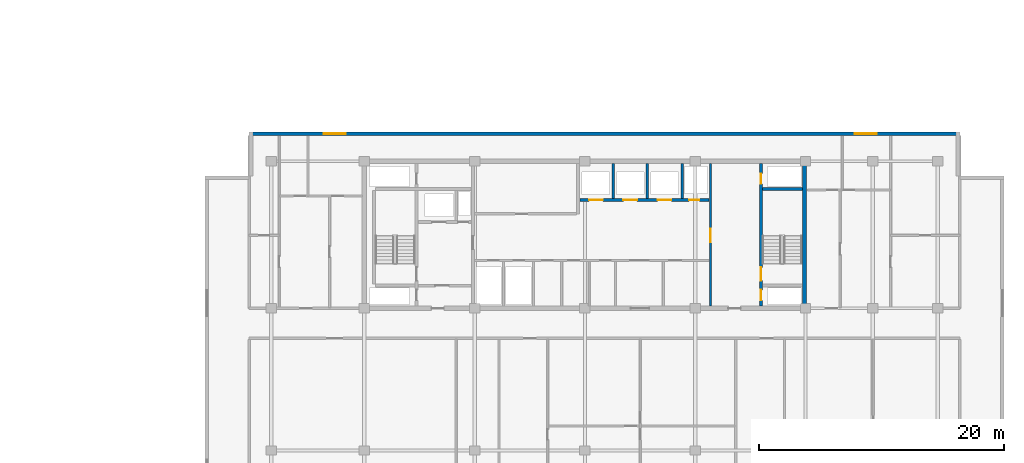
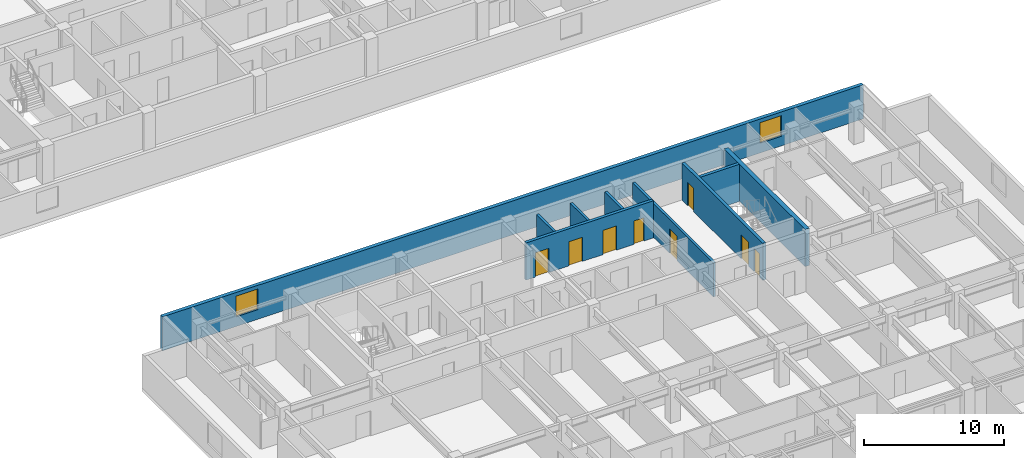
# One storey, part 7 of 21: 9 walls, 8 doors, 2 windows, 10 openings.
"""IFC4 building model written with IfcOpenShell, lengths in metres."""

from ifc_helpers import new_model, si_unit, direction, frame, frame_2d, origin, place, context, subcontext, project, spatial, rectangle, extrude, material, layer, layer_set, type_object, element, fill, save


model = new_model("IFC4")

# Units and contexts
model_context = context("Model", 3, precision=1e-05, world=origin(), true_north=direction((0.0, 1.0)))
body_context = subcontext(model_context, "Body", "Model", "MODEL_VIEW")
ifc_project = project(units=[si_unit("LENGTHUNIT", "METRE"), si_unit("AREAUNIT", "SQUARE_METRE"), si_unit("VOLUMEUNIT", "CUBIC_METRE"), si_unit("PLANEANGLEUNIT", "RADIAN"), si_unit("MASSUNIT", "GRAM", prefix="KILO")], contexts=[model_context])

# Site, building, storey
site_placement = place(None, origin())
site = spatial("IfcSite", under=ifc_project, at=site_placement, CompositionType="ELEMENT")
building_placement = place(site_placement, origin())
building = spatial("IfcBuilding", under=site, at=building_placement, Name="Korimba Cascade Residences", CompositionType="ELEMENT")
storey_placement = place(building_placement, frame((0.0, 0.0, 116.550048828125)))
storey = spatial("IfcBuildingStorey", under=building, at=storey_placement, Name="L33", CompositionType="ELEMENT", Elevation=116.550048828125)

# Wall, openings, windows
ifc_material_1 = material(Name="Precast concrete C40/50", Category="concrete")
ifc_layer_1 = layer(ifc_material_1, 0.300048828125)
ifc_layer_set_1 = layer_set([ifc_layer_1], Name="Precast concrete C40/50")
wall_type_1 = type_object("IfcWallType", Name="EW-STONE-300", PredefinedType="STANDARD", material=ifc_layer_set_1)
wall_1_placement = place(storey_placement, frame((130.699951171875, 32.64990234375, 0.0), z_axis=(0.0, 0.0, 1.0), x_axis=(-1.0, 0.0, 0.0)))
wall_1 = element("IfcWall", 1, at=wall_1_placement, inside=storey, type_object=wall_type_1, Name="L33 T2 Perimeter Stone Wall E06", PredefinedType="STANDARD", context=body_context, shape_type="SweptSolid", body=[
    extrude(rectangle(XDim=58.0, YDim=0.300048828125, at=frame_2d((29.0, 0.0))), origin(), (0.0, 0.0, 1.0), 2.969970703125),
])
opening_1_placement = place(wall_1_placement, frame((50.125, 0.0, 0.85009765625)))
opening_1 = element("IfcOpeningElement", 2, at=opening_1_placement, cuts=wall_1, Name="Opening W-02", PredefinedType="OPENING", context=body_context, shape_type="SweptSolid", body=[
    extrude(rectangle(XDim=1.800048828125, YDim=1.800048828125, at=frame_2d((0.89990234375, 0.89990234375))), frame((0.0, 0.16015625, 0.0), z_axis=(0.0, -1.0, 0.0), x_axis=(1.0, 0.0, 0.0)), (0.0, 0.0, 1.0), 0.320068359375),
])
opening_2_placement = place(wall_1_placement, frame((6.77490234375, 0.0, 0.85009765625)))
opening_2 = element("IfcOpeningElement", 3, at=opening_2_placement, cuts=wall_1, Name="Opening W-02", PredefinedType="OPENING", context=body_context, shape_type="SweptSolid", body=[
    extrude(rectangle(XDim=1.800048828125, YDim=1.800048828125, at=frame_2d((0.89990234375, 0.89990234375))), frame((0.0, 0.16015625, 0.0), z_axis=(0.0, -1.0, 0.0), x_axis=(1.0, 0.0, 0.0)), (0.0, 0.0, 1.0), 0.320068359375),
])
ifc_material_2 = material(Name="Double-Glazed Aluminium Window", Category="aluminium")
window_type = type_object("IfcWindowType", Name="WIN-BED-1800", PartitioningType="SINGLE_PANEL", PredefinedType="WINDOW", material=ifc_material_2)
window_1_placement = place(opening_1_placement, origin())
window_1 = element("IfcWindow", 4, at=window_1_placement, inside=storey, type_object=window_type, Name="L33 T2 North Corner Bedroom Window 1", OverallHeight=1.800048828125, OverallWidth=1.800048828125, PartitioningType="SINGLE_PANEL", PredefinedType="WINDOW", context=body_context, shape_type="SweptSolid", body=[
    extrude(rectangle(XDim=1.800048828125, YDim=1.800048828125, at=frame_2d((0.89990234375, 0.89990234375))), frame((0.0, 0.030029296875, 0.0), z_axis=(0.0, -1.0, 0.0), x_axis=(1.0, 0.0, 0.0)), (0.0, 0.0, 1.0), 0.06005859375),
])
fill(opening_1, window_1)
window_2_placement = place(opening_2_placement, origin())
window_2 = element("IfcWindow", 5, at=window_2_placement, inside=storey, type_object=window_type, Name="L33 T2 North Corner Bedroom Window 2", OverallHeight=1.800048828125, OverallWidth=1.800048828125, PartitioningType="SINGLE_PANEL", PredefinedType="WINDOW", context=body_context, shape_type="SweptSolid", body=[
    extrude(rectangle(XDim=1.800048828125, YDim=1.800048828125, at=frame_2d((0.89990234375, 0.89990234375))), frame((0.0, 0.030029296875, 0.0), z_axis=(0.0, -1.0, 0.0), x_axis=(1.0, 0.0, 0.0)), (0.0, 0.0, 1.0), 0.06005859375),
])
fill(opening_2, window_2)

# Walls
ifc_material_3 = material(Name="Concrete C65/80", Category="concrete")
ifc_layer_2 = layer(ifc_material_3, 0.35009765625)
ifc_layer_set_2 = layer_set([ifc_layer_2], Name="Concrete C65/80")
wall_type_2 = type_object("IfcWallType", Name="WAL-CORE-350", PredefinedType="SHEAR", material=ifc_layer_set_2)
wall_2_placement = place(storey_placement, frame((118.014892578125, 18.574951171875, 0.0), z_axis=(0.0, 0.0, 1.0), x_axis=(0.0, 1.0, 0.0)))
element("IfcWall", 6, at=wall_2_placement, inside=storey, type_object=wall_type_2, Name="L33 Core Shear Wall CW-L33-T2-E", PredefinedType="SHEAR", context=body_context, shape_type="SweptSolid", body=[
    extrude(rectangle(XDim=11.650146484375, YDim=0.35009765625, at=frame_2d((5.8251953125, 0.0))), origin(), (0.0, 0.0, 1.0), 3.25),
])
ifc_material_4 = material(Name="Concrete C40/50", Category="concrete")
ifc_layer_3 = layer(ifc_material_4, 0.199951171875)
ifc_layer_set_3 = layer_set([ifc_layer_3], Name="Concrete C40/50")
wall_type_3 = type_object("IfcWallType", Name="WAL-PART-200", PredefinedType="PARTITIONING", material=ifc_layer_set_3)
for number, where, z_axis, x_axis, name in (
    (7, (102.39990234375, 27.3798828125, 0.0), (0.0, 0.0, 1.0), (0.0, 1.0, 0.0), "L33 Partition Wall CW-L33-T2-B2D1"),
    (8, (105.199951171875, 27.3798828125, 0.0), (0.0, 0.0, 1.0), (0.0, 1.0, 0.0), "L33 Partition Wall CW-L33-T2-B2D2"),
    (9, (108.050048828125, 27.3798828125, 0.0), (0.0, 0.0, 1.0), (0.0, 1.0, 0.0), "L33 Partition Wall CW-L33-T2-B2D3"),
):
    element("IfcWall", number, at=place(storey_placement, frame(where, z_axis=z_axis, x_axis=x_axis)), inside=storey, type_object=wall_type_3, Name=name, PredefinedType="PARTITIONING", context=body_context, shape_type="SweptSolid", body=[
        extrude(rectangle(XDim=2.820068359375, YDim=0.199951171875, at=frame_2d((1.41015625, 0.0))), origin(), (0.0, 0.0, 1.0), 2.969970703125),
    ])

# Wall, opening, door
wall_3_placement = place(storey_placement, frame((110.35009765625, 18.60009765625, 0.0), z_axis=(0.0, 0.0, 1.0), x_axis=(0.0, 1.0, 0.0)))
wall_3 = element("IfcWall", 10, at=wall_3_placement, inside=storey, type_object=wall_type_3, Name="L33 Partition Wall CW-L33-T2-LLEV", PredefinedType="PARTITIONING", context=body_context, shape_type="SweptSolid", body=[
    extrude(rectangle(XDim=11.599853515625, YDim=0.199951171875, at=frame_2d((5.7998046875, 0.0))), origin(), (0.0, 0.0, 1.0), 2.969970703125),
])
opening_3_placement = place(wall_3_placement, frame((5.199951171875, 0.0, 0.0)))
opening_3 = element("IfcOpeningElement", 11, at=opening_3_placement, cuts=wall_3, Name="Opening D-FD6", PredefinedType="OPENING", context=body_context, shape_type="SweptSolid", body=[
    extrude(rectangle(XDim=1.10009765625, YDim=2.14990234375, at=frame_2d((0.550048828125, 1.074951171875))), frame((0.0, 0.10986328125, 0.0), z_axis=(0.0, -1.0, 0.0), x_axis=(1.0, 0.0, 0.0)), (0.0, 0.0, 1.0), 0.219970703125),
])
ifc_material_5 = material(Name="Fire-Rated Timber Stair Lobby Door", Category="wood")
door_type_1 = type_object("IfcDoorType", Name="DR-FD90-1100", OperationType="NOTDEFINED", PredefinedType="DOOR", material=ifc_material_5)
door_1_placement = place(opening_3_placement, origin())
door_1 = element("IfcDoor", 12, at=door_1_placement, inside=storey, type_object=door_type_1, Name="L33 T2 Lift Lobby to East Stair Lobby Door", OperationType="SINGLE_SWING_RIGHT", OverallHeight=2.14990234375, OverallWidth=1.10009765625, PredefinedType="DOOR", context=body_context, shape_type="SweptSolid", body=[
    extrude(rectangle(XDim=1.10009765625, YDim=2.14990234375, at=frame_2d((0.550048828125, 1.074951171875))), frame((0.0, 0.02490234375, 0.0), z_axis=(0.0, -1.0, 0.0), x_axis=(1.0, 0.0, 0.0)), (0.0, 0.0, 1.0), 0.050048828125),
])
fill(opening_3, door_1)

# Wall, openings, doors
ifc_material_6 = material(Name="Concrete C50/60", Category="concrete")
ifc_layer_4 = layer(ifc_material_6, 0.25)
ifc_layer_set_4 = layer_set([ifc_layer_4], Name="Concrete C50/60")
wall_type_4 = type_object("IfcWallType", Name="WAL-SHAFT-250", PredefinedType="SHEAR", material=ifc_layer_set_4)
wall_4_placement = place(storey_placement, frame((99.679931640625, 27.25, 0.0), z_axis=(0.0, 0.0, 1.0), x_axis=(1.0, 0.0, 0.0)))
wall_4 = element("IfcWall", 13, at=wall_4_placement, inside=storey, type_object=wall_type_4, Name="L33 Core Shear Wall CW-L33-T2-B2S", PredefinedType="SHEAR", context=body_context, shape_type="SweptSolid", body=[
    extrude(rectangle(XDim=10.5400390625, YDim=0.25, at=frame_2d((5.27001953125, 0.0))), origin(), (0.0, 0.0, 1.0), 3.25),
])
opening_4_placement = place(wall_4_placement, frame((0.760009765625, 0.0, 0.0)))
opening_4 = element("IfcOpeningElement", 14, at=opening_4_placement, cuts=wall_4, Name="Opening LD-01", PredefinedType="OPENING", context=body_context, shape_type="SweptSolid", body=[
    extrude(rectangle(XDim=1.1201171875, YDim=2.1201171875, at=frame_2d((0.56005859375, 1.06005859375))), frame((0.0, 0.135009765625, 0.0), z_axis=(0.0, -1.0, 0.0), x_axis=(1.0, 0.0, 0.0)), (0.0, 0.0, 1.0), 0.27001953125),
])
opening_5_placement = place(wall_4_placement, frame((3.56005859375, 0.0, 0.0)))
opening_5 = element("IfcOpeningElement", 15, at=opening_5_placement, cuts=wall_4, Name="Opening LD-01", PredefinedType="OPENING", context=body_context, shape_type="SweptSolid", body=[
    extrude(rectangle(XDim=1.1201171875, YDim=2.1201171875, at=frame_2d((0.56005859375, 1.06005859375))), frame((0.0, 0.135009765625, 0.0), z_axis=(0.0, -1.0, 0.0), x_axis=(1.0, 0.0, 0.0)), (0.0, 0.0, 1.0), 0.27001953125),
])
opening_6_placement = place(wall_4_placement, frame((6.360107421875, 0.0, 0.0)))
opening_6 = element("IfcOpeningElement", 16, at=opening_6_placement, cuts=wall_4, Name="Opening LD-01", PredefinedType="OPENING", context=body_context, shape_type="SweptSolid", body=[
    extrude(rectangle(XDim=1.1201171875, YDim=2.1201171875, at=frame_2d((0.56005859375, 1.06005859375))), frame((0.0, 0.135009765625, 0.0), z_axis=(0.0, -1.0, 0.0), x_axis=(1.0, 0.0, 0.0)), (0.0, 0.0, 1.0), 0.27001953125),
])
opening_7_placement = place(wall_4_placement, frame((8.919921875, 0.0, 0.0)))
opening_7 = element("IfcOpeningElement", 17, at=opening_7_placement, cuts=wall_4, Name="Opening D-RS1", PredefinedType="OPENING", context=body_context, shape_type="SweptSolid", body=[
    extrude(rectangle(XDim=0.85009765625, YDim=2.050048828125, at=frame_2d((0.425048828125, 1.02490234375))), frame((0.0, 0.135009765625, 0.0), z_axis=(0.0, -1.0, 0.0), x_axis=(1.0, 0.0, 0.0)), (0.0, 0.0, 1.0), 0.27001953125),
])
ifc_material_7 = material(Name="Fire-Rated Steel Riser Access Door", Category="steel")
door_type_2 = type_object("IfcDoorType", Name="DR-FD60-850", OperationType="NOTDEFINED", PredefinedType="DOOR", material=ifc_material_7)
door_2_placement = place(opening_7_placement, origin())
door_2 = element("IfcDoor", 18, at=door_2_placement, inside=storey, type_object=door_type_2, Name="L33 T2 Duct Door", OperationType="SINGLE_SWING_LEFT", OverallHeight=2.050048828125, OverallWidth=0.85009765625, PredefinedType="DOOR", context=body_context, shape_type="SweptSolid", body=[
    extrude(rectangle(XDim=0.85009765625, YDim=2.050048828125, at=frame_2d((0.425048828125, 1.02490234375))), frame((0.0, 0.02490234375, 0.0), z_axis=(0.0, -1.0, 0.0), x_axis=(1.0, 0.0, 0.0)), (0.0, 0.0, 1.0), 0.050048828125),
])
fill(opening_7, door_2)
ifc_material_8 = material(Name="Stainless Steel Lift Landing Sliding Door", Category="steel")
door_type_3 = type_object("IfcDoorType", Name="DR-LIFT-1100", OperationType="NOTDEFINED", PredefinedType="DOOR", material=ifc_material_8)
door_3_placement = place(opening_4_placement, origin())
door_3 = element("IfcDoor", 19, at=door_3_placement, inside=storey, type_object=door_type_3, Name="L33 Lift Landing Door PL-E4", OperationType="SLIDING_TO_RIGHT", OverallHeight=2.1201171875, OverallWidth=1.1201171875, PredefinedType="DOOR", context=body_context, shape_type="SweptSolid", body=[
    extrude(rectangle(XDim=1.1201171875, YDim=2.1201171875, at=frame_2d((0.56005859375, 1.06005859375))), frame((0.0, 0.02490234375, 0.0), z_axis=(0.0, -1.0, 0.0), x_axis=(1.0, 0.0, 0.0)), (0.0, 0.0, 1.0), 0.050048828125),
])
fill(opening_4, door_3)
door_4_placement = place(opening_5_placement, origin())
door_4 = element("IfcDoor", 20, at=door_4_placement, inside=storey, type_object=door_type_3, Name="L33 Lift Landing Door PL-E5", OperationType="SLIDING_TO_RIGHT", OverallHeight=2.1201171875, OverallWidth=1.1201171875, PredefinedType="DOOR", context=body_context, shape_type="SweptSolid", body=[
    extrude(rectangle(XDim=1.1201171875, YDim=2.1201171875, at=frame_2d((0.56005859375, 1.06005859375))), frame((0.0, 0.02490234375, 0.0), z_axis=(0.0, -1.0, 0.0), x_axis=(1.0, 0.0, 0.0)), (0.0, 0.0, 1.0), 0.050048828125),
])
fill(opening_5, door_4)
door_5_placement = place(opening_6_placement, origin())
door_5 = element("IfcDoor", 21, at=door_5_placement, inside=storey, type_object=door_type_3, Name="L33 Lift Landing Door PL-E6", OperationType="SLIDING_TO_RIGHT", OverallHeight=2.1201171875, OverallWidth=1.1201171875, PredefinedType="DOOR", context=body_context, shape_type="SweptSolid", body=[
    extrude(rectangle(XDim=1.1201171875, YDim=2.1201171875, at=frame_2d((0.56005859375, 1.06005859375))), frame((0.0, 0.02490234375, 0.0), z_axis=(0.0, -1.0, 0.0), x_axis=(1.0, 0.0, 0.0)), (0.0, 0.0, 1.0), 0.050048828125),
])
fill(opening_6, door_5)

wall_5_placement = place(storey_placement, frame((114.47509765625, 18.60009765625, 0.0), z_axis=(0.0, 0.0, 1.0), x_axis=(0.0, 1.0, 0.0)))
wall_5 = element("IfcWall", 22, at=wall_5_placement, inside=storey, type_object=wall_type_4, Name="L33 Core Shear Wall CW-L33-T2-STE2W", PredefinedType="SHEAR", context=body_context, shape_type="SweptSolid", body=[
    extrude(rectangle(XDim=11.599853515625, YDim=0.25, at=frame_2d((5.7998046875, 0.0))), origin(), (0.0, 0.0, 1.0), 3.25),
])
opening_8_placement = place(wall_5_placement, frame((0.449951171875, 0.0, 0.0)))
opening_8 = element("IfcOpeningElement", 23, at=opening_8_placement, cuts=wall_5, Name="Opening D-RS1", PredefinedType="OPENING", context=body_context, shape_type="SweptSolid", body=[
    extrude(rectangle(XDim=0.85009765625, YDim=2.050048828125, at=frame_2d((0.425048828125, 1.02490234375))), frame((0.0, 0.135009765625, 0.0), z_axis=(0.0, -1.0, 0.0), x_axis=(1.0, 0.0, 0.0)), (0.0, 0.0, 1.0), 0.27001953125),
])
opening_9_placement = place(wall_5_placement, frame((2.050048828125, 0.0, 0.0)))
opening_9 = element("IfcOpeningElement", 24, at=opening_9_placement, cuts=wall_5, Name="Opening D-FD1", PredefinedType="OPENING", context=body_context, shape_type="SweptSolid", body=[
    extrude(rectangle(XDim=1.10009765625, YDim=2.10009765625, at=frame_2d((0.550048828125, 1.050048828125))), frame((0.0, 0.135009765625, 0.0), z_axis=(0.0, -1.0, 0.0), x_axis=(1.0, 0.0, 0.0)), (0.0, 0.0, 1.0), 0.27001953125),
])
opening_10_placement = place(wall_5_placement, frame((9.949951171875, 0.0, 0.0)))
opening_10 = element("IfcOpeningElement", 25, at=opening_10_placement, cuts=wall_5, Name="Opening D-RS1", PredefinedType="OPENING", context=body_context, shape_type="SweptSolid", body=[
    extrude(rectangle(XDim=0.85009765625, YDim=2.050048828125, at=frame_2d((0.425048828125, 1.02490234375))), frame((0.0, 0.135009765625, 0.0), z_axis=(0.0, -1.0, 0.0), x_axis=(1.0, 0.0, 0.0)), (0.0, 0.0, 1.0), 0.27001953125),
])
ifc_material_9 = material(Name="Fire-Rated Steel Core Door", Category="steel")
door_type_4 = type_object("IfcDoorType", Name="DR-FD120-1100", OperationType="NOTDEFINED", PredefinedType="DOOR", material=ifc_material_9)
door_6_placement = place(opening_9_placement, origin())
door_6 = element("IfcDoor", 26, at=door_6_placement, inside=storey, type_object=door_type_4, Name="L33 Fire Stair ST-E2 Door", OperationType="SINGLE_SWING_RIGHT", OverallHeight=2.10009765625, OverallWidth=1.10009765625, PredefinedType="DOOR", context=body_context, shape_type="SweptSolid", body=[
    extrude(rectangle(XDim=1.10009765625, YDim=2.10009765625, at=frame_2d((0.550048828125, 1.050048828125))), frame((0.0, 0.02490234375, 0.0), z_axis=(0.0, -1.0, 0.0), x_axis=(1.0, 0.0, 0.0)), (0.0, 0.0, 1.0), 0.050048828125),
])
fill(opening_9, door_6)
door_7_placement = place(opening_8_placement, origin())
door_7 = element("IfcDoor", 27, at=door_7_placement, inside=storey, type_object=door_type_2, Name="L33 T2 East Hydrant Door", OperationType="SINGLE_SWING_LEFT", OverallHeight=2.050048828125, OverallWidth=0.85009765625, PredefinedType="DOOR", context=body_context, shape_type="SweptSolid", body=[
    extrude(rectangle(XDim=0.85009765625, YDim=2.050048828125, at=frame_2d((0.425048828125, 1.02490234375))), frame((0.0, 0.02490234375, 0.0), z_axis=(0.0, -1.0, 0.0), x_axis=(1.0, 0.0, 0.0)), (0.0, 0.0, 1.0), 0.050048828125),
])
fill(opening_8, door_7)
door_8_placement = place(opening_10_placement, origin())
door_8 = element("IfcDoor", 28, at=door_8_placement, inside=storey, type_object=door_type_2, Name="L33 T2 East Riser Door", OperationType="SINGLE_SWING_LEFT", OverallHeight=2.050048828125, OverallWidth=0.85009765625, PredefinedType="DOOR", context=body_context, shape_type="SweptSolid", body=[
    extrude(rectangle(XDim=0.85009765625, YDim=2.050048828125, at=frame_2d((0.425048828125, 1.02490234375))), frame((0.0, 0.02490234375, 0.0), z_axis=(0.0, -1.0, 0.0), x_axis=(1.0, 0.0, 0.0)), (0.0, 0.0, 1.0), 0.050048828125),
])
fill(opening_10, door_8)

# Wall
wall_6_placement = place(storey_placement, frame((114.60009765625, 28.125, 0.0), z_axis=(0.0, 0.0, 1.0), x_axis=(1.0, 0.0, 0.0)))
element("IfcWall", 29, at=wall_6_placement, inside=storey, type_object=wall_type_4, Name="L33 Core Shear Wall CW-L33-T2-STE2N", PredefinedType="SHEAR", context=body_context, shape_type="SweptSolid", body=[
    extrude(rectangle(XDim=3.239990234375, YDim=0.25, at=frame_2d((1.6201171875, 0.0))), origin(), (0.0, 0.0, 1.0), 3.25),
])

save(model, "model.ifc")
